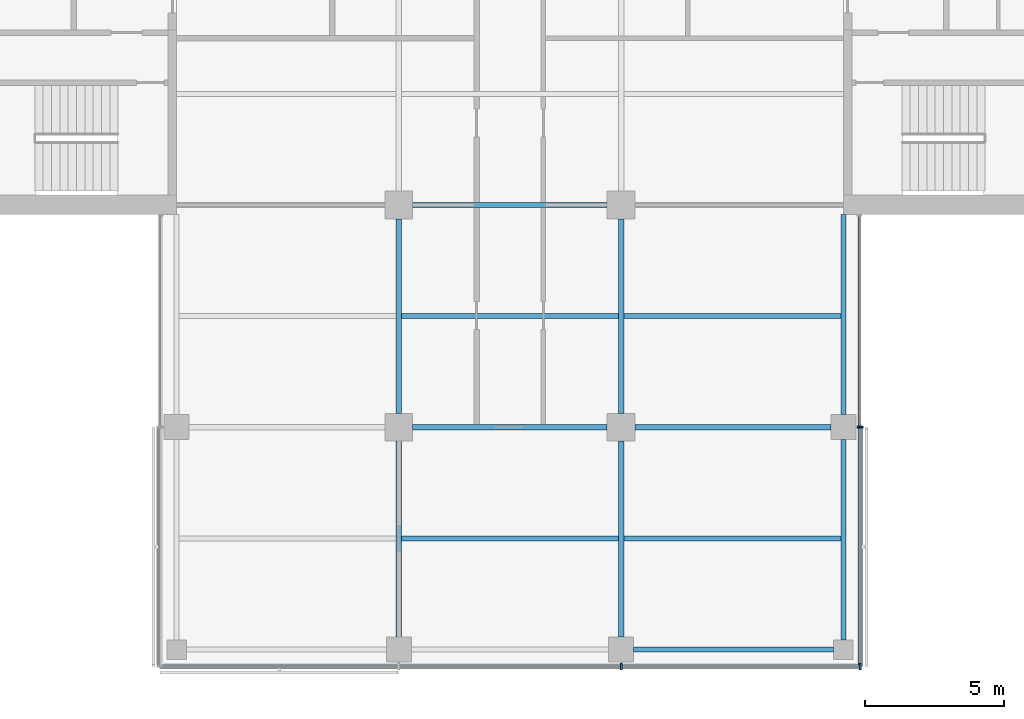
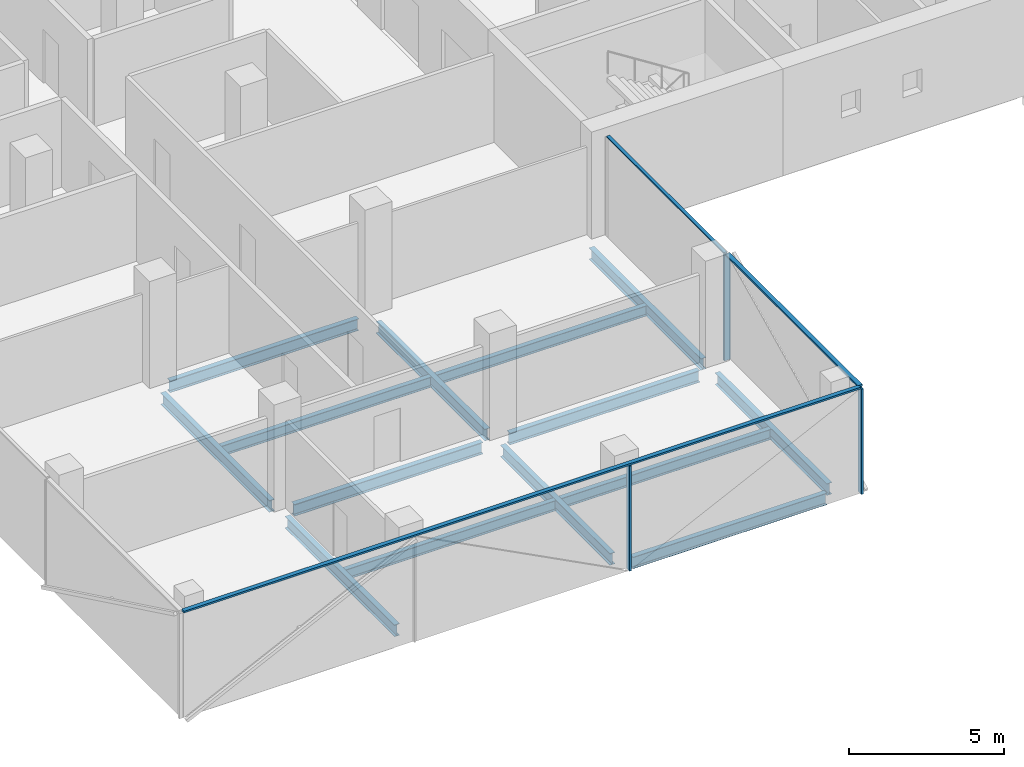
# One storey, part 5 of 22: 14 beams, 7 members, 3 elements without a shape of their own.
"""IFC4 building model written with IfcOpenShell, lengths in metres."""

from ifc_helpers import new_model, si_unit, direction, frame, origin, origin_2d, place, context, subcontext, project, spatial, rectangle, i_section, extrude, material, material_profile, profile_set, type_object, element, aggregate, save


model = new_model("IFC4")

# Units and contexts
model_context = context("Model", 3, precision=1e-05, world=origin(), true_north=direction((0.0, 1.0)))
body_context = subcontext(model_context, "Body", "Model", "MODEL_VIEW")
ifc_project = project(units=[si_unit("LENGTHUNIT", "METRE"), si_unit("AREAUNIT", "SQUARE_METRE"), si_unit("VOLUMEUNIT", "CUBIC_METRE"), si_unit("PLANEANGLEUNIT", "RADIAN"), si_unit("MASSUNIT", "GRAM", prefix="KILO")], contexts=[model_context])

# Site, building, storey
site_placement = place(None, origin())
site = spatial("IfcSite", under=ifc_project, at=site_placement, CompositionType="ELEMENT")
building_placement = place(site_placement, origin())
building = spatial("IfcBuilding", under=site, at=building_placement, Name="Crosswind Convention Tower", CompositionType="ELEMENT")
storey_placement = place(building_placement, frame((0.0, 0.0, 137.89990234375)))
storey = spatial("IfcBuildingStorey", under=building, at=storey_placement, Name="L28", CompositionType="ELEMENT", Elevation=137.89990234375)

# Beams
ifc_material_1 = material(Name="Steel S355", Category="steel")
ifc_material_profile_1 = material_profile(ifc_material_1, i_section(OverallWidth=0.18994140625, OverallDepth=0.45361328125, WebThickness=0.008544921875, FlangeThickness=0.0126953125, FilletRadius=0.01025390625, at=origin_2d()), Name="UB 457x191x67")
ifc_profile_set_1 = profile_set([ifc_material_profile_1], Name="Steel S355")
beam_type_1 = type_object("IfcBeamType", Name="Edge beam UB 457x191x67", PredefinedType="SPANDREL", material=ifc_profile_set_1)
for number, where, z_axis, x_axis, name in (
    (1, (129.449951171875, 72.0, -0.526611328125), (1.0, 0.0, 0.0), (0.0, 1.0, 0.0), "B16 L28 edge beam 14"),
    (2, (137.0, 72.35009765625, -0.526611328125), (0.0, 1.0, 0.0), (-1.0, 0.0, 0.0), "B16 L28 edge beam 16"),
    (3, (137.0, 80.449951171875, -0.526611328125), (0.0, 1.0, 0.0), (-1.0, 0.0, 0.0), "B16 L28 edge beam 17"),
):
    element("IfcBeam", number, at=place(storey_placement, frame(where, z_axis=z_axis, x_axis=x_axis)), inside=storey, type_object=beam_type_1, Name=name, PredefinedType="SPANDREL", context=body_context, shape_type="SweptSolid", body=[
        extrude(i_section(OverallWidth=0.18994140625, OverallDepth=0.45361328125, WebThickness=0.008544921875, FlangeThickness=0.0126953125, FilletRadius=0.01025390625, at=origin_2d()), origin(), (0.0, 0.0, 1.0), 7.199951171875),
    ])
ifc_material_profile_2 = material_profile(ifc_material_1, i_section(OverallWidth=0.19140625, OverallDepth=0.460205078125, WebThickness=0.010009765625, FlangeThickness=0.01611328125, FilletRadius=0.01025390625, at=origin_2d()), Name="UB 457x191x82")
ifc_profile_set_2 = profile_set([ifc_material_profile_2], Name="Steel S355")
beam_type_2 = type_object("IfcBeamType", Name="Girder UB 457x191x82", PredefinedType="BEAM", material=ifc_profile_set_2)
beam_1_placement = place(storey_placement, frame((121.0, 72.449951171875, -0.530029296875), z_axis=(0.0, 1.0, 0.0), x_axis=(-1.0, 0.0, 0.0)))
element("IfcBeam", 4, at=beam_1_placement, inside=storey, type_object=beam_type_2, Name="B3 L28 girder 3", PredefinedType="BEAM", context=body_context, shape_type="SweptSolid", body=[
    extrude(i_section(OverallWidth=0.19140625, OverallDepth=0.460205078125, WebThickness=0.010009765625, FlangeThickness=0.01611328125, FilletRadius=0.01025390625, at=origin_2d()), origin(), (0.0, 0.0, 1.0), 7.050048828125),
])
for number, where, z_axis, x_axis, name in (
    (5, (121.0, 80.5, -0.530029296875), (0.0, 1.0, 0.0), (-1.0, 0.0, 0.0), "B3 L28 girder 4"),
    (6, (121.5, 80.0, -0.530029296875), (1.0, 0.0, 0.0), (0.0, 1.0, 0.0), "B3 L28 girder 10"),
    (7, (121.5, 88.0, -0.530029296875), (1.0, 0.0, 0.0), (0.0, 1.0, 0.0), "B3 L28 girder 11"),
):
    element("IfcBeam", number, at=place(storey_placement, frame(where, z_axis=z_axis, x_axis=x_axis)), inside=storey, type_object=beam_type_2, Name=name, PredefinedType="BEAM", context=body_context, shape_type="SweptSolid", body=[
        extrude(i_section(OverallWidth=0.19140625, OverallDepth=0.460205078125, WebThickness=0.010009765625, FlangeThickness=0.01611328125, FilletRadius=0.01025390625, at=origin_2d()), origin(), (0.0, 0.0, 1.0), 7.0),
    ])
beam_2_placement = place(storey_placement, frame((129.0, 72.449951171875, -0.530029296875), z_axis=(0.0, 1.0, 0.0), x_axis=(-1.0, 0.0, 0.0)))
element("IfcBeam", 8, at=beam_2_placement, inside=storey, type_object=beam_type_2, Name="B3 L28 girder 16", PredefinedType="BEAM", context=body_context, shape_type="SweptSolid", body=[
    extrude(i_section(OverallWidth=0.19140625, OverallDepth=0.460205078125, WebThickness=0.010009765625, FlangeThickness=0.01611328125, FilletRadius=0.01025390625, at=origin_2d()), origin(), (0.0, 0.0, 1.0), 7.050048828125),
])
beam_3_placement = place(storey_placement, frame((129.0, 80.5, -0.530029296875), z_axis=(0.0, 1.0, 0.0), x_axis=(-1.0, 0.0, 0.0)))
element("IfcBeam", 9, at=beam_3_placement, inside=storey, type_object=beam_type_2, Name="B3 L28 girder 17", PredefinedType="BEAM", context=body_context, shape_type="SweptSolid", body=[
    extrude(i_section(OverallWidth=0.19140625, OverallDepth=0.460205078125, WebThickness=0.010009765625, FlangeThickness=0.01611328125, FilletRadius=0.01025390625, at=origin_2d()), origin(), (0.0, 0.0, 1.0), 7.0),
])
beam_4_placement = place(storey_placement, frame((129.5, 80.0, -0.530029296875), z_axis=(1.0, 0.0, 0.0), x_axis=(0.0, 1.0, 0.0)))
element("IfcBeam", 10, at=beam_4_placement, inside=storey, type_object=beam_type_2, Name="B3 L28 girder 23", PredefinedType="BEAM", context=body_context, shape_type="SweptSolid", body=[
    extrude(i_section(OverallWidth=0.19140625, OverallDepth=0.460205078125, WebThickness=0.010009765625, FlangeThickness=0.01611328125, FilletRadius=0.01025390625, at=origin_2d()), origin(), (0.0, 0.0, 1.0), 7.050048828125),
])

# Curtain wall, member
ifc_material_2 = material(Name="Aluminium unitised curtain wall", Category="aluminium")
curtain_wall_type_1 = type_object("IfcCurtainWallType", Name="CORE END SLOT WALL 160", PredefinedType="USERDEFINED", material=ifc_material_2)
curtain_wall_1_placement = place(storey_placement, origin())
curtain_wall_1 = element("IfcCurtainWall", 11, at=curtain_wall_1_placement, inside=storey, type_object=curtain_wall_type_1, Name="CW6 L28 S-E.1-2 slot", ObjectType="UNITISED", PredefinedType="USERDEFINED")
ifc_material_3 = material(Name="Aluminium mullion", Category="aluminium")
ifc_material_profile_3 = material_profile(ifc_material_3, rectangle(XDim=0.159912109375, YDim=0.050048828125, at=origin_2d()), Name="AL 160X50")
ifc_profile_set_3 = profile_set([ifc_material_profile_3], Name="Aluminium mullion")
member_type_1 = type_object("IfcMemberType", Name="MULLION 50X160", PredefinedType="MULLION", material=ifc_profile_set_3)
member_1_placement = place(storey_placement, frame((137.580078125, 80.02490234375, -0.2998046875), z_axis=(0.0, 0.0, 1.0), x_axis=(1.0, 0.0, 0.0)))
member_1 = element("IfcMember", 12, at=member_1_placement, type_object=member_type_1, Name="CW6 mullion 1", PredefinedType="MULLION", context=body_context, shape_type="SweptSolid", body=[
    extrude(rectangle(XDim=0.159912109375, YDim=0.050048828125, at=origin_2d()), origin(), (0.0, 0.0, 1.0), 4.14990234375),
])

# Curtain wall, members
curtain_wall_type_2 = type_object("IfcCurtainWallType", Name="OFFICE UNITISED WALL 220", PredefinedType="USERDEFINED", material=ifc_material_2)
curtain_wall_2_placement = place(storey_placement, origin())
curtain_wall_2 = element("IfcCurtainWall", 13, at=curtain_wall_2_placement, inside=storey, type_object=curtain_wall_type_2, Name="CW3 L28 S-TIP 1", ObjectType="UNITISED", PredefinedType="USERDEFINED")
ifc_material_profile_4 = material_profile(ifc_material_3, rectangle(XDim=0.219970703125, YDim=0.070068359375, at=origin_2d()), Name="AL 220X70")
ifc_profile_set_4 = profile_set([ifc_material_profile_4], Name="Aluminium mullion")
member_type_2 = type_object("IfcMemberType", Name="MULLION 70X220", PredefinedType="MULLION", material=ifc_profile_set_4)
member_2_placement = place(storey_placement, frame((129.0, 71.389892578125, -0.2998046875), z_axis=(0.0, 0.0, 1.0), x_axis=(0.0, -1.0, 0.0)))
member_2 = element("IfcMember", 14, at=member_2_placement, type_object=member_type_2, Name="CW3 mullion 3", PredefinedType="MULLION", context=body_context, shape_type="SweptSolid", body=[
    extrude(rectangle(XDim=0.219970703125, YDim=0.070068359375, at=origin_2d()), origin(), (0.0, 0.0, 1.0), 4.1298828125),
])
member_3_placement = place(storey_placement, frame((137.610107421875, 71.389892578125, -0.2998046875), z_axis=(0.0, 0.0, 1.0), x_axis=(0.0, -1.0, 0.0)))
member_3 = element("IfcMember", 15, at=member_3_placement, type_object=member_type_2, Name="CW3 mullion 4", PredefinedType="MULLION", context=body_context, shape_type="SweptSolid", body=[
    extrude(rectangle(XDim=0.219970703125, YDim=0.070068359375, at=origin_2d()), origin(), (0.0, 0.0, 1.0), 4.1298828125),
])

# Curtain wall, member
curtain_wall_3_placement = place(storey_placement, origin())
curtain_wall_3 = element("IfcCurtainWall", 16, at=curtain_wall_3_placement, inside=storey, type_object=curtain_wall_type_2, Name="CW3 L28 S-E 1", ObjectType="UNITISED", PredefinedType="USERDEFINED")
member_4_placement = place(storey_placement, frame((137.610107421875, 80.0, -0.2998046875), z_axis=(0.0, 0.0, 1.0), x_axis=(1.0, 0.0, 0.0)))
member_4 = element("IfcMember", 17, at=member_4_placement, type_object=member_type_2, Name="CW3 mullion 2", PredefinedType="MULLION", context=body_context, shape_type="SweptSolid", body=[
    extrude(rectangle(XDim=0.219970703125, YDim=0.070068359375, at=origin_2d()), origin(), (0.0, 0.0, 1.0), 4.1298828125),
])

# Beams
ifc_material_profile_5 = material_profile(ifc_material_1, i_section(OverallWidth=0.177734375, OverallDepth=0.406494140625, WebThickness=0.0078125, FlangeThickness=0.0126953125, FilletRadius=0.01025390625, at=origin_2d()), Name="UB 406x178x60")
ifc_profile_set_5 = profile_set([ifc_material_profile_5], Name="Steel S355")
beam_type_3 = type_object("IfcBeamType", Name="Secondary beam UB 406x178x60", PredefinedType="JOIST", material=ifc_profile_set_5)
for number, where, z_axis, x_axis, name in (
    (18, (121.095703125, 76.0, -0.503173828125), (1.0, 0.0, 0.0), (0.0, 1.0, 0.0), "B10 L28 secondary beam 11"),
    (19, (121.095703125, 84.0, -0.503173828125), (1.0, 0.0, 0.0), (0.0, 1.0, 0.0), "B10 L28 secondary beam 12"),
):
    element("IfcBeam", number, at=place(storey_placement, frame(where, z_axis=z_axis, x_axis=x_axis)), inside=storey, type_object=beam_type_3, Name=name, PredefinedType="JOIST", context=body_context, shape_type="SweptSolid", body=[
        extrude(i_section(OverallWidth=0.177734375, OverallDepth=0.406494140625, WebThickness=0.0078125, FlangeThickness=0.0126953125, FilletRadius=0.01025390625, at=origin_2d()), origin(), (0.0, 0.0, 1.0), 7.80859375),
    ])
for number, where, z_axis, x_axis, name in (
    (20, (129.095703125, 76.0, -0.503173828125), (1.0, 0.0, 0.0), (0.0, 1.0, 0.0), "B10 L28 secondary beam 18"),
    (21, (129.095703125, 84.0, -0.503173828125), (1.0, 0.0, 0.0), (0.0, 1.0, 0.0), "B10 L28 secondary beam 19"),
):
    element("IfcBeam", number, at=place(storey_placement, frame(where, z_axis=z_axis, x_axis=x_axis)), inside=storey, type_object=beam_type_3, Name=name, PredefinedType="JOIST", context=body_context, shape_type="SweptSolid", body=[
        extrude(i_section(OverallWidth=0.177734375, OverallDepth=0.406494140625, WebThickness=0.0078125, FlangeThickness=0.0126953125, FilletRadius=0.01025390625, at=origin_2d()), origin(), (0.0, 0.0, 1.0), 7.809326171875),
    ])

# Member
ifc_material_4 = material(Name="Aluminium transom", Category="aluminium")
ifc_material_profile_6 = material_profile(ifc_material_4, rectangle(XDim=0.1201171875, YDim=0.050048828125, at=origin_2d()), Name="AL 120X50")
ifc_profile_set_6 = profile_set([ifc_material_profile_6], Name="Aluminium transom")
member_type_3 = type_object("IfcMemberType", Name="TRANSOM 50X120", PredefinedType="USERDEFINED", material=ifc_profile_set_6)
member_5_placement = place(storey_placement, frame((137.580078125, 80.050048828125, 3.875), z_axis=(0.0, 1.0, 0.0), x_axis=(-1.0, 0.0, 0.0)))
member_5 = element("IfcMember", 22, at=member_5_placement, type_object=member_type_3, Name="CW6 transom", ObjectType="TRANSOM", PredefinedType="USERDEFINED", context=body_context, shape_type="SweptSolid", body=[
    extrude(rectangle(XDim=0.1201171875, YDim=0.050048828125, at=origin_2d()), origin(), (0.0, 0.0, 1.0), 7.550048828125),
])

aggregate(curtain_wall_1, [member_1, member_5])

ifc_material_profile_7 = material_profile(ifc_material_4, rectangle(XDim=0.159912109375, YDim=0.070068359375, at=origin_2d()), Name="AL 160X70")
ifc_profile_set_7 = profile_set([ifc_material_profile_7], Name="Aluminium transom")
member_type_4 = type_object("IfcMemberType", Name="TRANSOM 70X160", PredefinedType="USERDEFINED", material=ifc_profile_set_7)
member_6_placement = place(storey_placement, frame((112.425048828125, 71.389892578125, 3.864990234375), z_axis=(1.0, 0.0, 0.0), x_axis=(0.0, 1.0, 0.0)))
member_6 = element("IfcMember", 23, at=member_6_placement, type_object=member_type_4, Name="CW3 transom", ObjectType="TRANSOM", PredefinedType="USERDEFINED", context=body_context, shape_type="SweptSolid", body=[
    extrude(rectangle(XDim=0.159912109375, YDim=0.070068359375, at=origin_2d()), origin(), (0.0, 0.0, 1.0), 25.14990234375),
])

aggregate(curtain_wall_2, [member_2, member_3, member_6])

member_7_placement = place(storey_placement, frame((137.610107421875, 71.425048828125, 3.864990234375), z_axis=(0.0, 1.0, 0.0), x_axis=(-1.0, 0.0, 0.0)))
member_7 = element("IfcMember", 24, at=member_7_placement, type_object=member_type_4, Name="CW3 transom", ObjectType="TRANSOM", PredefinedType="USERDEFINED", context=body_context, shape_type="SweptSolid", body=[
    extrude(rectangle(XDim=0.159912109375, YDim=0.070068359375, at=origin_2d()), origin(), (0.0, 0.0, 1.0), 8.5400390625),
])

aggregate(curtain_wall_3, [member_4, member_7])

save(model, "model.ifc")
